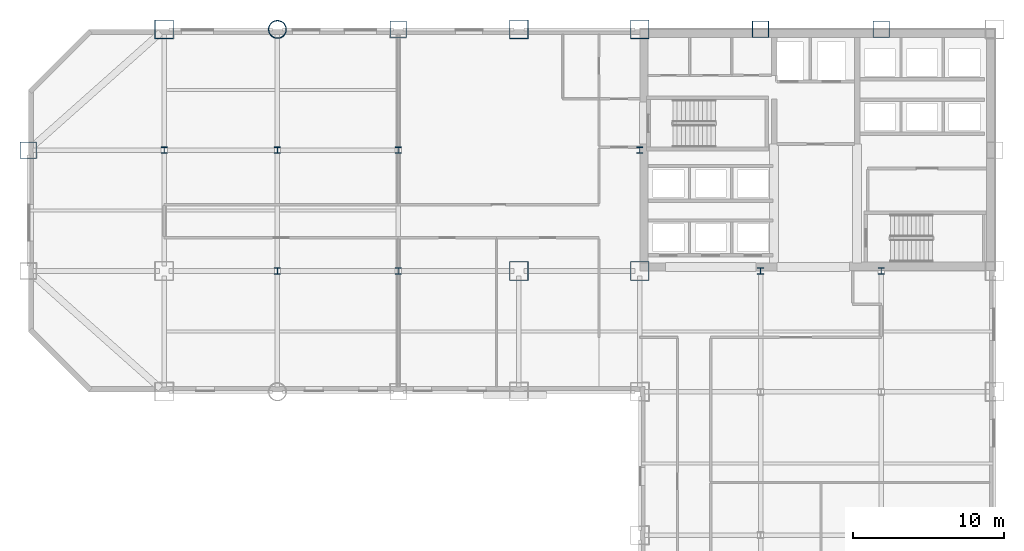
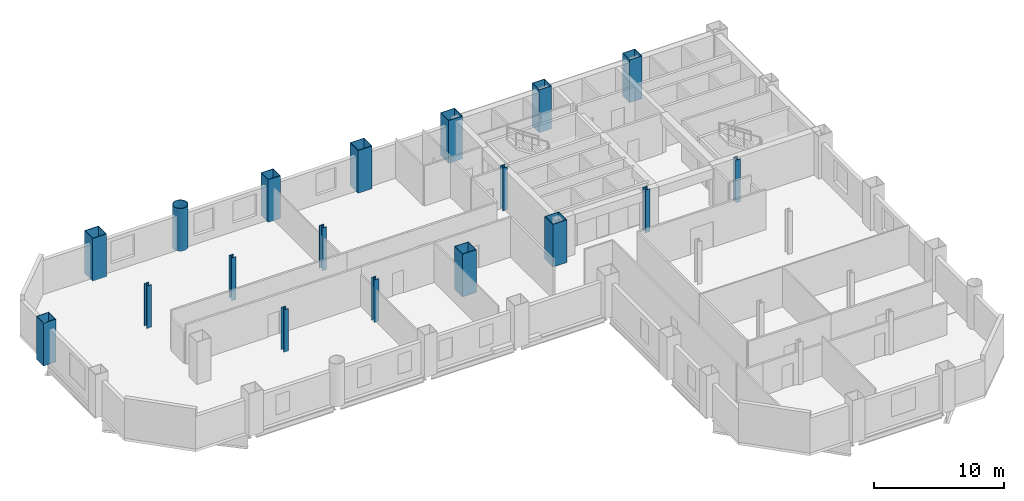
# One storey, part 2 of 9: 18 columns.
"""IFC4 building model written with IfcOpenShell, lengths in metres."""

from ifc_helpers import new_model, si_unit, direction, frame, origin, origin_2d, place, context, subcontext, project, spatial, hollow_rectangle, hollow_circle, i_section, extrude, material, material_profile, profile_set, type_object, element, save


model = new_model("IFC4")

# Units and contexts
model_context = context("Model", 3, precision=1e-05, world=origin(), true_north=direction((0.0, 1.0)))
body_context = subcontext(model_context, "Body", "Model", "MODEL_VIEW")
ifc_project = project(units=[si_unit("LENGTHUNIT", "METRE"), si_unit("AREAUNIT", "SQUARE_METRE"), si_unit("VOLUMEUNIT", "CUBIC_METRE"), si_unit("PLANEANGLEUNIT", "RADIAN"), si_unit("MASSUNIT", "GRAM", prefix="KILO")], contexts=[model_context])

# Site, building, storey
site_placement = place(None, origin())
site = spatial("IfcSite", under=ifc_project, at=site_placement, CompositionType="ELEMENT")
building_placement = place(site_placement, origin())
building = spatial("IfcBuilding", under=site, at=building_placement, Name="Qianrong Seaharbour Tower", CompositionType="ELEMENT")
storey_placement = place(building_placement, frame((0.0, 0.0, 56.199951171875)))
storey = spatial("IfcBuildingStorey", under=building, at=storey_placement, Name="L13", CompositionType="ELEMENT", Elevation=56.199951171875)

# Columns
ifc_material = material(Name="Structural steel SN490B", Category="steel")
ifc_material_profile_1 = material_profile(ifc_material, hollow_rectangle(XDim=1.25, YDim=1.25, WallThickness=0.044921875, at=origin_2d()), Name="BOX1250x1250x45")
ifc_profile_set_1 = profile_set([ifc_material_profile_1], Name="Structural steel SN490B")
column_type_1 = type_object("IfcColumnType", Name="COL-CFT-1250", PredefinedType="COLUMN", material=ifc_profile_set_1)
for number, where, z_axis, x_axis, name in (
    (1, (9.0, 52.0, 0.0), (0.0, 0.0, 1.0), (1.0, 0.0, 0.0), "L13 Column MC-2 at G2/GH"),
    (2, (32.5, 36.0, 0.0), (0.0, 0.0, 1.0), (1.0, 0.0, 0.0), "L13 Column MC-2 at G5/GF"),
    (3, (32.5, 52.0, 0.0), (0.0, 0.0, 1.0), (1.0, 0.0, 0.0), "L13 Column MC-2 at G5/GH"),
    (4, (40.5, 36.0, 0.0), (0.0, 0.0, 1.0), (1.0, 0.0, 0.0), "L13 Column MC-2 at G6/GF"),
    (5, (40.5, 52.0, 0.0), (0.0, 0.0, 1.0), (1.0, 0.0, 0.0), "L13 Column MC-2 at G6/GH"),
):
    element("IfcColumn", number, at=place(storey_placement, frame(where, z_axis=z_axis, x_axis=x_axis)), inside=storey, type_object=column_type_1, Name=name, PredefinedType="COLUMN", context=body_context, shape_type="SweptSolid", body=[
        extrude(hollow_rectangle(XDim=1.25, YDim=1.25, WallThickness=0.044921875, at=origin_2d()), origin(), (0.0, 0.0, 1.0), 4.0),
    ])
ifc_material_profile_2 = material_profile(ifc_material, hollow_circle(Radius=0.60009765625, WallThickness=0.0400390625, at=origin_2d()), Name="CHS1200x40")
ifc_profile_set_2 = profile_set([ifc_material_profile_2], Name="Structural steel SN490B")
column_type_2 = type_object("IfcColumnType", Name="COL-CHS-1200", PredefinedType="COLUMN", material=ifc_profile_set_2)
column_placement = place(storey_placement, frame((16.5, 52.0, 0.0), z_axis=(0.0, 0.0, 1.0), x_axis=(1.0, 0.0, 0.0)))
element("IfcColumn", 6, at=column_placement, inside=storey, type_object=column_type_2, Name="L13 Column CC-1 at G3/GH", PredefinedType="COLUMN", context=body_context, shape_type="SweptSolid", body=[
    extrude(hollow_circle(Radius=0.60009765625, WallThickness=0.0400390625, at=origin_2d()), origin(), (0.0, 0.0, 1.0), 4.0),
])
ifc_material_profile_3 = material_profile(ifc_material, i_section(OverallWidth=0.406982421875, OverallDepth=0.427978515625, WebThickness=0.02001953125, FlangeThickness=0.034912109375, FilletRadius=0.02197265625, at=origin_2d()), Name="H428x407x20x35")
ifc_profile_set_3 = profile_set([ifc_material_profile_3], Name="Structural steel SN490B")
column_type_3 = type_object("IfcColumnType", Name="COL-INT-H428", PredefinedType="COLUMN", material=ifc_profile_set_3)
for number, where, z_axis, x_axis, name in (
    (7, (9.0, 44.0, 0.0), (0.0, 0.0, 1.0), (1.0, 0.0, 0.0), "L13 Column IC-2 at G2/GG"),
    (8, (16.5, 36.0, 0.0), (0.0, 0.0, 1.0), (1.0, 0.0, 0.0), "L13 Column IC-2 at G3/GF"),
    (9, (16.5, 44.0, 0.0), (0.0, 0.0, 1.0), (1.0, 0.0, 0.0), "L13 Column IC-2 at G3/GG"),
    (10, (24.5, 36.0, 0.0), (0.0, 0.0, 1.0), (1.0, 0.0, 0.0), "L13 Column IC-2 at G4/GF"),
    (11, (24.5, 44.0, 0.0), (0.0, 0.0, 1.0), (1.0, 0.0, 0.0), "L13 Column IC-2 at G4/GG"),
    (12, (40.5, 44.0, 0.0), (0.0, 0.0, 1.0), (1.0, 0.0, 0.0), "L13 Column IC-2 at G6/GG"),
    (13, (48.5, 36.0, 0.0), (0.0, 0.0, 1.0), (1.0, 0.0, 0.0), "L13 Column IC-2 at G7/GF"),
    (14, (56.5, 36.0, 0.0), (0.0, 0.0, 1.0), (1.0, 0.0, 0.0), "L13 Column IC-2 at G8/GF"),
):
    element("IfcColumn", number, at=place(storey_placement, frame(where, z_axis=z_axis, x_axis=x_axis)), inside=storey, type_object=column_type_3, Name=name, PredefinedType="COLUMN", context=body_context, shape_type="SweptSolid", body=[
        extrude(i_section(OverallWidth=0.406982421875, OverallDepth=0.427978515625, WebThickness=0.02001953125, FlangeThickness=0.034912109375, FilletRadius=0.02197265625, at=origin_2d()), origin(), (0.0, 0.0, 1.0), 4.0),
    ])
ifc_material_profile_4 = material_profile(ifc_material, hollow_rectangle(XDim=1.10009765625, YDim=1.10009765625, WallThickness=0.0400390625, at=origin_2d()), Name="BOX1100x1100x40")
ifc_profile_set_4 = profile_set([ifc_material_profile_4], Name="Structural steel SN490B")
column_type_4 = type_object("IfcColumnType", Name="COL-PER-1100", PredefinedType="COLUMN", material=ifc_profile_set_4)
for number, where, z_axis, x_axis, name in (
    (15, (0.0, 44.0, 0.0), (0.0, 0.0, 1.0), (1.0, 0.0, 0.0), "L13 Column PC-1 at G1/GG"),
    (16, (24.5, 52.0, 0.0), (0.0, 0.0, 1.0), (1.0, 0.0, 0.0), "L13 Column PC-1 at G4/GH"),
    (17, (48.5, 52.0, 0.0), (0.0, 0.0, 1.0), (1.0, 0.0, 0.0), "L13 Column PC-1 at G7/GH"),
    (18, (56.5, 52.0, 0.0), (0.0, 0.0, 1.0), (1.0, 0.0, 0.0), "L13 Column PC-1 at G8/GH"),
):
    element("IfcColumn", number, at=place(storey_placement, frame(where, z_axis=z_axis, x_axis=x_axis)), inside=storey, type_object=column_type_4, Name=name, PredefinedType="COLUMN", context=body_context, shape_type="SweptSolid", body=[
        extrude(hollow_rectangle(XDim=1.10009765625, YDim=1.10009765625, WallThickness=0.0400390625, at=origin_2d()), origin(), (0.0, 0.0, 1.0), 4.0),
    ])

save(model, "model.ifc")
